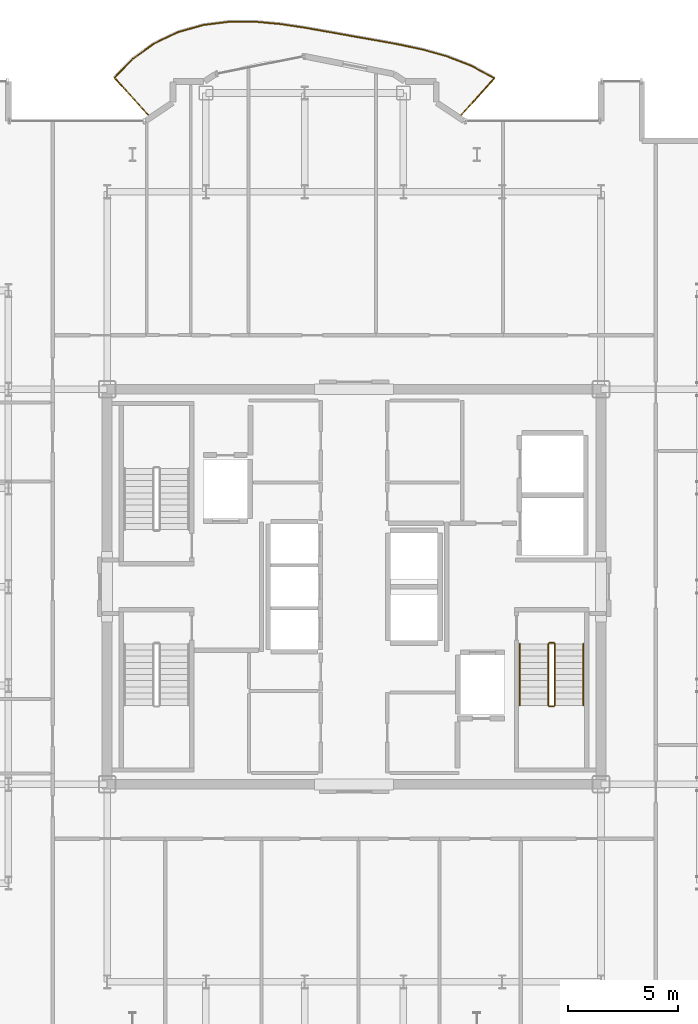
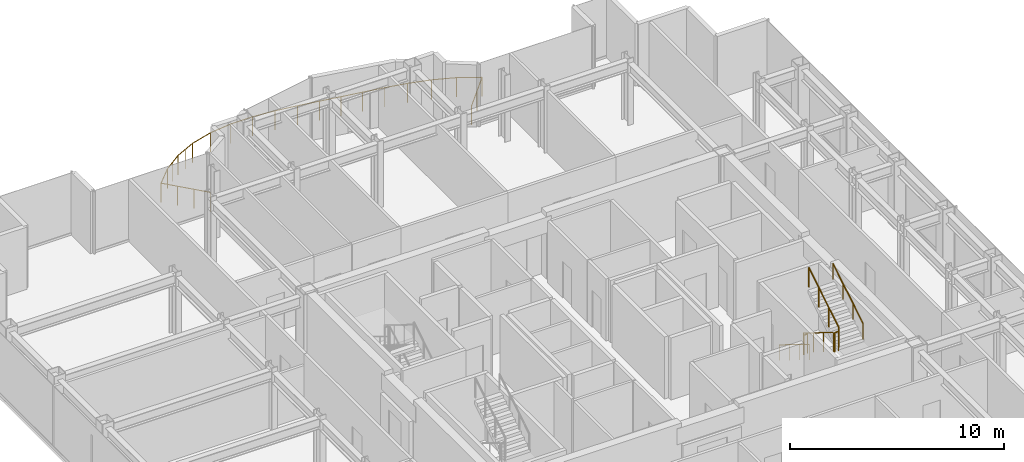
# One storey, part 17 of 17: 7 railings.
"""IFC4 building model written with IfcOpenShell, lengths in metres."""

from ifc_helpers import new_model, si_unit, direction, frame, origin, origin_2d, place, context, subcontext, project, spatial, circle, extrude, material, type_object, element, save


model = new_model("IFC4")

# Units and contexts
model_context = context("Model", 3, precision=1e-05, world=origin(), true_north=direction((0.0, 1.0)))
body_context = subcontext(model_context, "Body", "Model", "MODEL_VIEW")
ifc_project = project(units=[si_unit("LENGTHUNIT", "METRE"), si_unit("AREAUNIT", "SQUARE_METRE"), si_unit("VOLUMEUNIT", "CUBIC_METRE"), si_unit("PLANEANGLEUNIT", "RADIAN"), si_unit("MASSUNIT", "GRAM", prefix="KILO")], contexts=[model_context])

# Site, building, storey
site_placement = place(None, origin())
site = spatial("IfcSite", under=ifc_project, at=site_placement, CompositionType="ELEMENT")
building_placement = place(site_placement, origin())
building = spatial("IfcBuilding", under=site, at=building_placement, Name="Nefas-Gora Pilgrimage Tower", CompositionType="ELEMENT")
storey_placement = place(building_placement, frame((0.0, 0.0, 279.800048828125)))
storey = spatial("IfcBuildingStorey", under=building, at=storey_placement, Name="L70", CompositionType="ELEMENT", Elevation=279.800048828125)

# Railings
ifc_material_1 = material(Name="Laminated safety glass and stainless steel", Category="steel")
railing_type_1 = type_object("IfcRailingType", Name="RLG-BAL-1100", PredefinedType="BALUSTRADE", material=ifc_material_1)
railing_1_placement = place(storey_placement, frame((4.802490234375, 21.402587890625, 0.0)))
element("IfcRailing", 1, at=railing_1_placement, inside=storey, type_object=railing_type_1, Name="L70 Wave Balcony Balustrade N1", PredefinedType="BALUSTRADE", context=body_context, shape_type="SweptSolid", body=[
    extrude(circle(Radius=0.02392578125, at=origin_2d()), frame((0.0, 0.0, 1.09619140625), z_axis=(0.669135077133, 0.74314079995, 0.0), x_axis=(-0.74314079995, 0.669135077133, 0.0)), (0.0, 0.0, 1.0), 2.375244140625),
    extrude(circle(Radius=0.02392578125, at=origin_2d()), frame((1.58935546875, 1.76513671875, 1.09619140625), z_axis=(-0.878083063922, 0.478508236976, 0.0), x_axis=(-0.478508236976, -0.878083063922, 0.0)), (0.0, 0.0, 1.0), 1.19384765625),
    extrude(circle(Radius=0.02392578125, at=origin_2d()), frame((0.541015625, 2.33642578125, 1.09619140625), z_axis=(-0.932264516766, 0.361777377374, 0.0), x_axis=(-0.361777377374, -0.932264516766, 0.0)), (0.0, 0.0, 1.0), 1.18017578125),
    extrude(circle(Radius=0.02392578125, at=origin_2d()), frame((-0.559326171875, 2.763427734375, 1.09619140625), z_axis=(-0.962944291486, 0.269700373552, 0.0), x_axis=(-0.269700373552, -0.962944291486, 0.0)), (0.0, 0.0, 1.0), 1.156982421875),
    extrude(circle(Radius=0.02392578125, at=origin_2d()), frame((-1.67333984375, 3.075439453125, 1.09619140625), z_axis=(-0.978071187114, 0.208270864351, 0.0), x_axis=(-0.208270864351, -0.978071187114, 0.0)), (0.0, 0.0, 1.0), 1.12646484375),
    extrude(circle(Radius=0.02392578125, at=origin_2d()), frame((-2.775146484375, 3.31005859375, 1.09619140625), z_axis=(-0.983987188897, 0.178239199074, 0.0), x_axis=(-0.178239199074, -0.983987188897, 0.0)), (0.0, 0.0, 1.0), 1.09716796875),
    extrude(circle(Radius=0.02392578125, at=origin_2d()), frame((-3.854736328125, 3.505615234375, 1.09619140625), z_axis=(-0.985033351449, 0.172363849265, 0.0), x_axis=(-0.172363849265, -0.985033351449, 0.0)), (0.0, 0.0, 1.0), 1.077880859375),
    extrude(circle(Radius=0.02392578125, at=origin_2d()), frame((-4.91650390625, 3.69140625, 1.09619140625), z_axis=(-0.984191230585, 0.177109067071, 0.0), x_axis=(-0.177109067071, -0.984191230585, 0.0)), (0.0, 0.0, 1.0), 1.07666015625),
    extrude(circle(Radius=0.02392578125, at=origin_2d()), frame((-5.97607421875, 3.882080078125, 1.09619140625), z_axis=(-0.984747561973, 0.173989192737, 0.0), x_axis=(-0.173989192737, -0.984747561973, 0.0)), (0.0, 0.0, 1.0), 1.093017578125),
    extrude(circle(Radius=0.02392578125, at=origin_2d()), frame((-7.052490234375, 4.072265625, 1.09619140625), z_axis=(-0.98891878254, 0.148457541204, 0.0), x_axis=(-0.148457541204, -0.98891878254, 0.0)), (0.0, 0.0, 1.0), 1.12158203125),
    extrude(circle(Radius=0.02392578125, at=origin_2d()), frame((-8.16162109375, 4.23876953125, 1.09619140625), z_axis=(-0.995840939659, 0.091108851926, 0.0), x_axis=(-0.091108851926, -0.995840939659, 0.0)), (0.0, 0.0, 1.0), 1.15234375),
    extrude(circle(Radius=0.02392578125, at=origin_2d()), frame((-9.30908203125, 4.34375, 1.09619140625), z_axis=(-0.999999806466, -0.000622148366, 0.0), x_axis=(0.000622148366, -0.999999806466, 0.0)), (0.0, 0.0, 1.0), 1.17724609375),
    extrude(circle(Radius=0.02392578125, at=origin_2d()), frame((-10.486328125, 4.343017578125, 1.09619140625), z_axis=(-0.992246343829, -0.124286737661, 0.0), x_axis=(0.124286737661, -0.992246343829, 0.0)), (0.0, 0.0, 1.0), 1.1923828125),
    extrude(circle(Radius=0.02392578125, at=origin_2d()), frame((-11.66943359375, 4.19482421875, 1.09619140625), z_axis=(-0.962380056338, -0.271706877282, 0.0), x_axis=(0.271706877282, -0.962380056338, 0.0)), (0.0, 0.0, 1.0), 1.19873046875),
    extrude(circle(Radius=0.02392578125, at=origin_2d()), frame((-12.822998046875, 3.869140625, 1.09619140625), z_axis=(-0.902687538692, -0.430296650568, 0.0), x_axis=(0.430296650568, -0.902687538692, 0.0)), (0.0, 0.0, 1.0), 1.20068359375),
    extrude(circle(Radius=0.02392578125, at=origin_2d()), frame((-13.90673828125, 3.3525390625, 1.09619140625), z_axis=(-0.812274321028, -0.58327560158, 0.0), x_axis=(0.58327560158, -0.812274321028, 0.0)), (0.0, 0.0, 1.0), 1.200439453125),
    extrude(circle(Radius=0.02392578125, at=origin_2d()), frame((-14.8818359375, 2.65234375, 1.09619140625), z_axis=(-0.699126878219, -0.714997628074, 0.0), x_axis=(0.714997628074, -0.699126878219, 0.0)), (0.0, 0.0, 1.0), 1.199951171875),
    extrude(circle(Radius=0.02392578125, at=origin_2d()), frame((-15.720703125, 1.79443359375, 1.09619140625), z_axis=(0.669132296829, -0.743143303368, 0.0), x_axis=(0.743143303368, 0.669132296829, 0.0)), (0.0, 0.0, 1.0), 2.41455078125),
    extrude(circle(Radius=0.02099609375, at=origin_2d()), origin(), (0.0, 0.0, 1.0), 1.072021484375),
    extrude(circle(Radius=0.02099609375, at=origin_2d()), frame((0.794677734375, 0.882568359375, 0.0)), (0.0, 0.0, 1.0), 1.072021484375),
    extrude(circle(Radius=0.02099609375, at=origin_2d()), frame((1.58935546875, 1.76513671875, 0.0)), (0.0, 0.0, 1.0), 1.072021484375),
    extrude(circle(Radius=0.02099609375, at=origin_2d()), frame((0.541015625, 2.33642578125, 0.0)), (0.0, 0.0, 1.0), 1.072021484375),
    extrude(circle(Radius=0.02099609375, at=origin_2d()), frame((-0.559326171875, 2.763427734375, 0.0)), (0.0, 0.0, 1.0), 1.072021484375),
    extrude(circle(Radius=0.02099609375, at=origin_2d()), frame((-1.67333984375, 3.075439453125, 0.0)), (0.0, 0.0, 1.0), 1.072021484375),
    extrude(circle(Radius=0.02099609375, at=origin_2d()), frame((-2.775146484375, 3.31005859375, 0.0)), (0.0, 0.0, 1.0), 1.072021484375),
    extrude(circle(Radius=0.02099609375, at=origin_2d()), frame((-3.854736328125, 3.505615234375, 0.0)), (0.0, 0.0, 1.0), 1.072021484375),
    extrude(circle(Radius=0.02099609375, at=origin_2d()), frame((-4.91650390625, 3.69140625, 0.0)), (0.0, 0.0, 1.0), 1.072021484375),
    extrude(circle(Radius=0.02099609375, at=origin_2d()), frame((-5.97607421875, 3.882080078125, 0.0)), (0.0, 0.0, 1.0), 1.072021484375),
    extrude(circle(Radius=0.02099609375, at=origin_2d()), frame((-7.052490234375, 4.072265625, 0.0)), (0.0, 0.0, 1.0), 1.072021484375),
    extrude(circle(Radius=0.02099609375, at=origin_2d()), frame((-8.16162109375, 4.23876953125, 0.0)), (0.0, 0.0, 1.0), 1.072021484375),
    extrude(circle(Radius=0.02099609375, at=origin_2d()), frame((-9.30908203125, 4.34375, 0.0)), (0.0, 0.0, 1.0), 1.072021484375),
    extrude(circle(Radius=0.02099609375, at=origin_2d()), frame((-10.486328125, 4.343017578125, 0.0)), (0.0, 0.0, 1.0), 1.072021484375),
    extrude(circle(Radius=0.02099609375, at=origin_2d()), frame((-11.66943359375, 4.19482421875, 0.0)), (0.0, 0.0, 1.0), 1.072021484375),
    extrude(circle(Radius=0.02099609375, at=origin_2d()), frame((-12.822998046875, 3.869140625, 0.0)), (0.0, 0.0, 1.0), 1.072021484375),
    extrude(circle(Radius=0.02099609375, at=origin_2d()), frame((-13.36474609375, 3.61083984375, 0.0)), (0.0, 0.0, 1.0), 1.072021484375),
    extrude(circle(Radius=0.02099609375, at=origin_2d()), frame((-13.90673828125, 3.3525390625, 0.0)), (0.0, 0.0, 1.0), 1.072021484375),
    extrude(circle(Radius=0.02099609375, at=origin_2d()), frame((-14.394287109375, 3.00244140625, 0.0)), (0.0, 0.0, 1.0), 1.072021484375),
    extrude(circle(Radius=0.02099609375, at=origin_2d()), frame((-14.8818359375, 2.65234375, 0.0)), (0.0, 0.0, 1.0), 1.072021484375),
    extrude(circle(Radius=0.02099609375, at=origin_2d()), frame((-15.720703125, 1.79443359375, 0.0)), (0.0, 0.0, 1.0), 1.072021484375),
    extrude(circle(Radius=0.02099609375, at=origin_2d()), frame((-15.18212890625, 1.1962890625, 0.0)), (0.0, 0.0, 1.0), 1.072021484375),
    extrude(circle(Radius=0.02099609375, at=origin_2d()), frame((-14.6435546875, 0.59814453125, 0.0)), (0.0, 0.0, 1.0), 1.072021484375),
    extrude(circle(Radius=0.02099609375, at=origin_2d()), frame((-14.10498046875, 0.0, 0.0)), (0.0, 0.0, 1.0), 1.072021484375),
])
ifc_material_2 = material(Name="Painted galvanised steel", Category="steel")
railing_type_2 = type_object("IfcRailingType", Name="RLG-STR-GUARD-1100", PredefinedType="GUARDRAIL", material=ifc_material_2)
railing_2_placement = place(storey_placement, frame((8.85009765625, -2.60009765625, 0.172607421875)))
element("IfcRailing", 2, at=railing_2_placement, inside=storey, type_object=railing_type_2, Name="L70 ST-02 stair guard 1", PredefinedType="GUARDRAIL", context=body_context, shape_type="SweptSolid", body=[
    extrude(circle(Radius=0.02392578125, at=origin_2d()), frame((0.0, 0.0, 1.09619140625), z_axis=(0.0, -0.851069175582, 0.525053576669), x_axis=(1.0, 0.0, 0.0)), (0.0, 0.0, 1.0), 3.289794921875),
    extrude(circle(Radius=0.02099609375, at=origin_2d()), origin(), (0.0, 0.0, 1.0), 1.072021484375),
    extrude(circle(Radius=0.02099609375, at=origin_2d()), frame((0.0, -0.933349609375, 0.57568359375)), (0.0, 0.0, 1.0), 1.072021484375),
    extrude(circle(Radius=0.02099609375, at=origin_2d()), frame((0.0, -1.866455078125, 1.151611328125)), (0.0, 0.0, 1.0), 1.072021484375),
    extrude(circle(Radius=0.02099609375, at=origin_2d()), frame((0.0, -2.7998046875, 1.727294921875)), (0.0, 0.0, 1.0), 1.072021484375),
])
railing_3_placement = place(storey_placement, frame((8.89990234375, -5.449951171875, 1.89990234375)))
element("IfcRailing", 3, at=railing_3_placement, inside=storey, type_object=railing_type_2, Name="L70 ST-02 stair guard 2", PredefinedType="GUARDRAIL", context=body_context, shape_type="SweptSolid", body=[
    extrude(circle(Radius=0.02392578125, at=origin_2d()), frame((0.0, 0.0, 1.09619140625), z_axis=(1.0, 0.0, 0.0), x_axis=(0.0, 1.0, 0.0)), (0.0, 0.0, 1.0), 0.2001953125),
    extrude(circle(Radius=0.02099609375, at=origin_2d()), origin(), (0.0, 0.0, 1.0), 1.072021484375),
    extrude(circle(Radius=0.02099609375, at=origin_2d()), frame((0.2001953125, 0.0, 0.0)), (0.0, 0.0, 1.0), 1.072021484375),
])
railing_4_placement = place(storey_placement, frame((9.14990234375, -5.39990234375, 2.07275390625)))
element("IfcRailing", 4, at=railing_4_placement, inside=storey, type_object=railing_type_2, Name="L70 ST-02 stair guard 3", PredefinedType="GUARDRAIL", context=body_context, shape_type="SweptSolid", body=[
    extrude(circle(Radius=0.02392578125, at=origin_2d()), frame((0.0, 0.0, 1.09619140625), z_axis=(0.0, 0.851069175582, 0.525053576669), x_axis=(-1.0, 0.0, 0.0)), (0.0, 0.0, 1.0), 3.289794921875),
    extrude(circle(Radius=0.02099609375, at=origin_2d()), origin(), (0.0, 0.0, 1.0), 1.072021484375),
    extrude(circle(Radius=0.02099609375, at=origin_2d()), frame((0.0, 0.933349609375, 0.57568359375)), (0.0, 0.0, 1.0), 1.072021484375),
    extrude(circle(Radius=0.02099609375, at=origin_2d()), frame((0.0, 1.866455078125, 1.151611328125)), (0.0, 0.0, 1.0), 1.072021484375),
    extrude(circle(Radius=0.02099609375, at=origin_2d()), frame((0.0, 2.7998046875, 1.727294921875)), (0.0, 0.0, 1.0), 1.072021484375),
])
railing_5_placement = place(storey_placement, frame((8.89990234375, -2.550048828125, 0.0)))
element("IfcRailing", 5, at=railing_5_placement, inside=storey, type_object=railing_type_2, Name="L70 ST-02 stair guard 4", PredefinedType="GUARDRAIL", context=body_context, shape_type="SweptSolid", body=[
    extrude(circle(Radius=0.02392578125, at=origin_2d()), frame((0.0, 0.0, 1.09619140625), z_axis=(1.0, 0.0, 0.0), x_axis=(0.0, 1.0, 0.0)), (0.0, 0.0, 1.0), 0.2001953125),
    extrude(circle(Radius=0.02099609375, at=origin_2d()), origin(), (0.0, 0.0, 1.0), 1.072021484375),
    extrude(circle(Radius=0.02099609375, at=origin_2d()), frame((0.2001953125, 0.0, 0.0)), (0.0, 0.0, 1.0), 1.072021484375),
])
ifc_material_3 = material(Name="Brushed stainless steel", Category="steel")
railing_type_3 = type_object("IfcRailingType", Name="RLG-STR-HAND-900", PredefinedType="HANDRAIL", material=ifc_material_3)
railing_6_placement = place(storey_placement, frame((7.550048828125, -2.60009765625, 0.172607421875)))
element("IfcRailing", 6, at=railing_6_placement, inside=storey, type_object=railing_type_3, Name="L70 ST-02 stair handrail 1", PredefinedType="HANDRAIL", context=body_context, shape_type="SweptSolid", body=[
    extrude(circle(Radius=0.02392578125, at=origin_2d()), frame((0.0, 0.0, 0.8759765625), z_axis=(0.0, -0.851069175582, 0.525053576669), x_axis=(1.0, 0.0, 0.0)), (0.0, 0.0, 1.0), 3.289794921875),
    extrude(circle(Radius=0.02099609375, at=origin_2d()), origin(), (0.0, 0.0, 1.0), 0.851806640625),
    extrude(circle(Radius=0.02099609375, at=origin_2d()), frame((0.0, -0.933349609375, 0.57568359375)), (0.0, 0.0, 1.0), 0.851806640625),
    extrude(circle(Radius=0.02099609375, at=origin_2d()), frame((0.0, -1.866455078125, 1.151611328125)), (0.0, 0.0, 1.0), 0.851806640625),
    extrude(circle(Radius=0.02099609375, at=origin_2d()), frame((0.0, -2.7998046875, 1.727294921875)), (0.0, 0.0, 1.0), 0.851806640625),
])
railing_7_placement = place(storey_placement, frame((10.449951171875, -5.39990234375, 2.07275390625)))
element("IfcRailing", 7, at=railing_7_placement, inside=storey, type_object=railing_type_3, Name="L70 ST-02 stair handrail 2", PredefinedType="HANDRAIL", context=body_context, shape_type="SweptSolid", body=[
    extrude(circle(Radius=0.02392578125, at=origin_2d()), frame((0.0, 0.0, 0.8759765625), z_axis=(0.0, 0.851069175582, 0.525053576669), x_axis=(-1.0, 0.0, 0.0)), (0.0, 0.0, 1.0), 3.289794921875),
    extrude(circle(Radius=0.02099609375, at=origin_2d()), origin(), (0.0, 0.0, 1.0), 0.851806640625),
    extrude(circle(Radius=0.02099609375, at=origin_2d()), frame((0.0, 0.933349609375, 0.57568359375)), (0.0, 0.0, 1.0), 0.851806640625),
    extrude(circle(Radius=0.02099609375, at=origin_2d()), frame((0.0, 1.866455078125, 1.151611328125)), (0.0, 0.0, 1.0), 0.851806640625),
    extrude(circle(Radius=0.02099609375, at=origin_2d()), frame((0.0, 2.7998046875, 1.727294921875)), (0.0, 0.0, 1.0), 0.851806640625),
])

save(model, "model.ifc")
